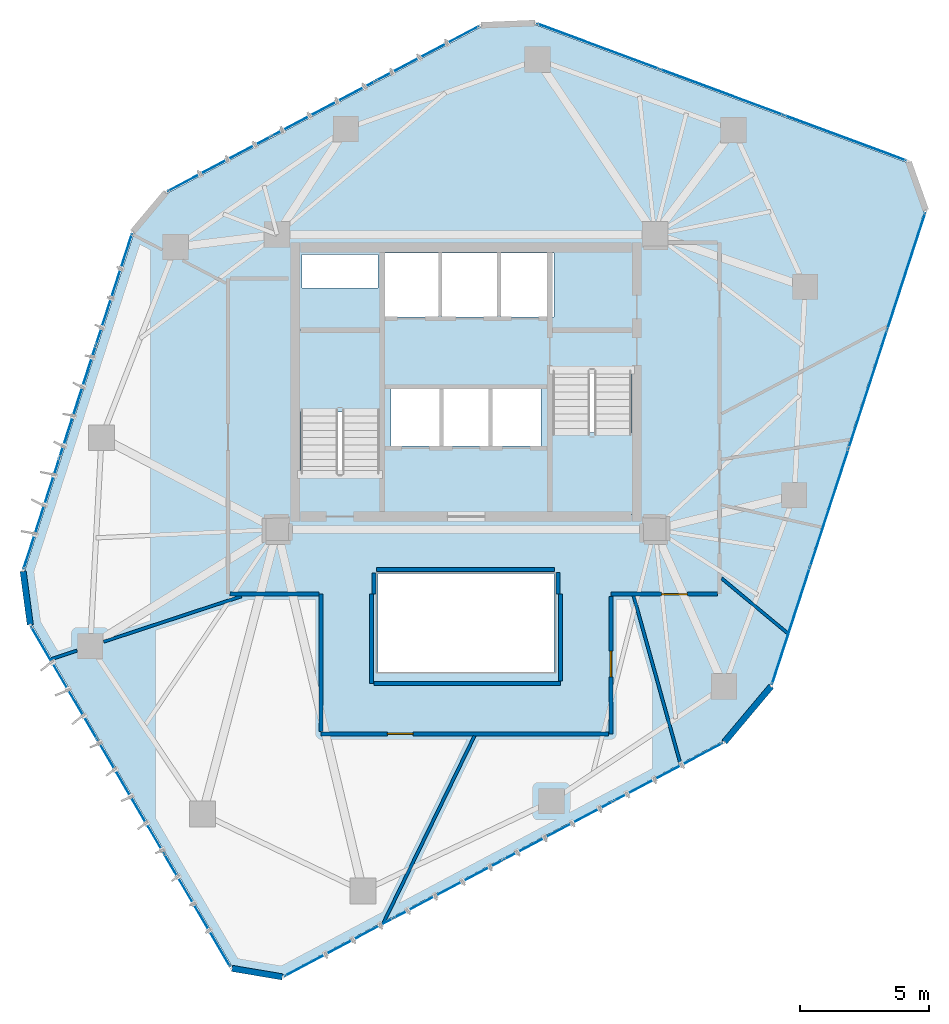
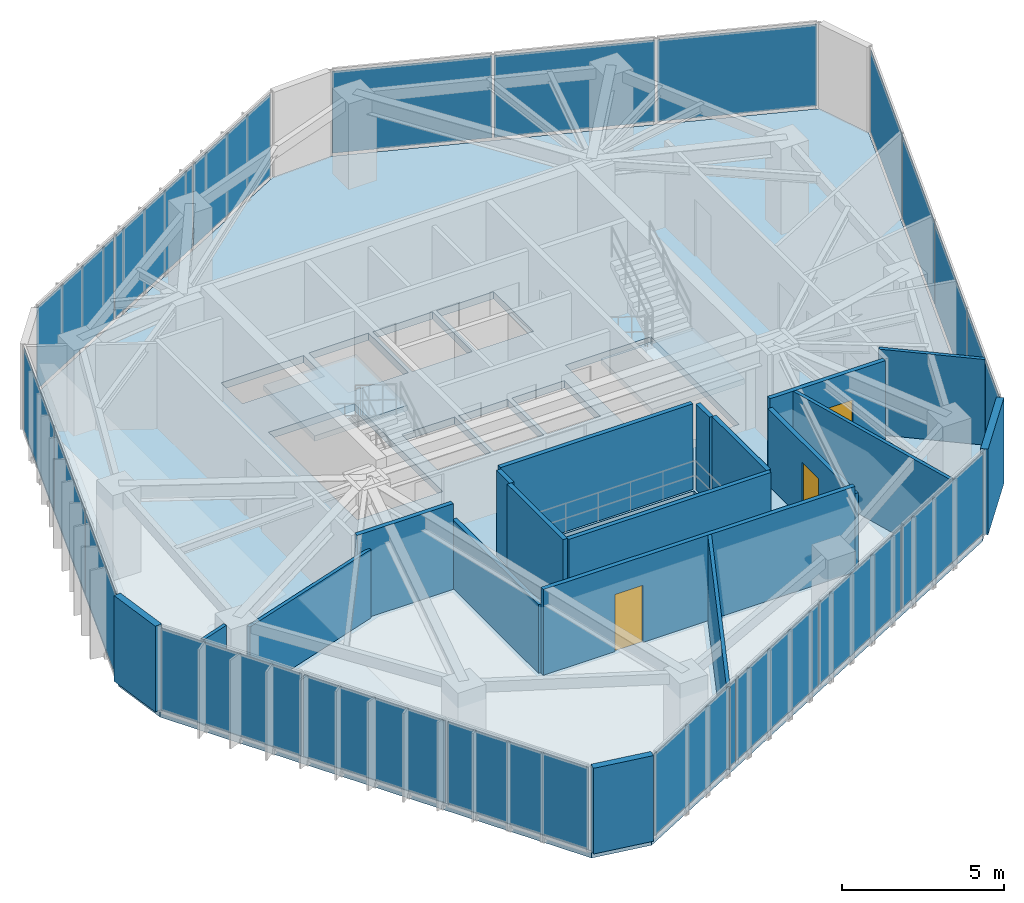
# One storey, part 15 of 19: 20 plates, 19 walls, 3 doors, 3 slabs, 3 openings, 8 elements without a shape of their own.
"""IFC4 building model written with IfcOpenShell, lengths in metres."""

from ifc_helpers import new_model, si_unit, direction, frame, frame_2d, origin, origin_2d, place, context, subcontext, project, spatial, polyline, rectangle, outline, extrude, source, transform, mapped, material, layer, layer_set, type_object, type_shapes, element, fill, aggregate, save


model = new_model("IFC4")

# Units and contexts
model_context = context("Model", 3, precision=1e-05, world=origin(), true_north=direction((0.0, 1.0)))
body_context = subcontext(model_context, "Body", "Model", "MODEL_VIEW")
ifc_project = project(units=[si_unit("LENGTHUNIT", "METRE"), si_unit("AREAUNIT", "SQUARE_METRE"), si_unit("VOLUMEUNIT", "CUBIC_METRE"), si_unit("PLANEANGLEUNIT", "RADIAN"), si_unit("MASSUNIT", "GRAM", prefix="KILO")], contexts=[model_context])

# Site, building, storey
site_placement = place(None, origin())
site = spatial("IfcSite", under=ifc_project, at=site_placement, CompositionType="ELEMENT")
building_placement = place(site_placement, origin())
building = spatial("IfcBuilding", under=site, at=building_placement, Name="Talar Marvaseh", CompositionType="ELEMENT")
storey_placement = place(building_placement, frame((0.0, 0.0, 174.0)))
storey = spatial("IfcBuildingStorey", under=building, at=storey_placement, Name="L45", CompositionType="ELEMENT", Elevation=174.0)

# Stair, slab
ifc_material_1 = material(Name="Concrete C40/50", Category="concrete")
stair_type = type_object("IfcStairType", Name="Reinforced Concrete High-Rise Exit Stair Type C", PredefinedType="HALF_TURN_STAIR", material=ifc_material_1)
stair_1_placement = place(storey_placement, origin())
stair_1 = element("IfcStair", 1, at=stair_1_placement, inside=storey, type_object=stair_type, Name="L45 Tower West Core Exit Stair", PredefinedType="HALF_TURN_STAIR")
ifc_layer_1 = layer(ifc_material_1, 0.199951171875)
ifc_layer_set_1 = layer_set([ifc_layer_1], Name="Concrete C40/50")
slab_type_1 = type_object("IfcSlabType", Name="Reinforced Concrete Stair Half-Landing Slab 200", PredefinedType="LANDING", material=ifc_layer_set_1)
slab_1_placement = place(storey_placement, frame((0.0, 0.0, 1.550048828125)))
slab_1 = element("IfcSlab", 2, at=slab_1_placement, type_object=slab_type_1, Name="ST-1 landing 1", PredefinedType="LANDING", context=body_context, shape_type="SweptSolid", body=[
    extrude(outline(polyline([(22.780029296875, 30.050048828125), (22.780029296875, 33.219970703125), (19.47998046875, 33.219970703125), (19.47998046875, 30.050048828125), (22.780029296875, 30.050048828125)])), origin(), (0.0, 0.0, 1.0), 0.199951171875),
])
aggregate(stair_1, [slab_1])

stair_2_placement = place(storey_placement, origin())
stair_2 = element("IfcStair", 3, at=stair_2_placement, inside=storey, type_object=stair_type, Name="L45 Tower East Core Exit Stair", PredefinedType="HALF_TURN_STAIR")
slab_2_placement = place(storey_placement, frame((0.0, 0.0, 1.550048828125)))
slab_2 = element("IfcSlab", 4, at=slab_2_placement, type_object=slab_type_1, Name="ST-2 landing 1", PredefinedType="LANDING", context=body_context, shape_type="SweptSolid", body=[
    extrude(outline(polyline([(29.219970703125, 29.25), (29.219970703125, 26.080078125), (32.52001953125, 26.080078125), (32.52001953125, 29.25), (29.219970703125, 29.25)])), origin(), (0.0, 0.0, 1.0), 0.199951171875),
])
aggregate(stair_2, [slab_2])

# Slab
ifc_layer_2 = layer(ifc_material_1, 0.27001953125)
ifc_layer_set_2 = layer_set([ifc_layer_2], Name="Concrete C40/50")
slab_type_2 = type_object("IfcSlabType", Name="Structural Suspended Floor Slab 270", PredefinedType="FLOOR", material=ifc_layer_set_2)
slab_3_placement = place(storey_placement, frame((0.0, 0.0, -0.27001953125)))
element("IfcSlab", 5, at=slab_3_placement, inside=storey, type_object=slab_type_2, Name="L45 Tower Floor Slab", PredefinedType="FLOOR", context=body_context, shape_type="SweptSolid", body=[
    extrude(outline(polyline([(18.913818359375, 8.26171875), (16.96337890625, 8.5908203125), (9.2138671875, 21.828125), (8.936767578125, 23.898193359375), (13.16455078125, 36.962890625), (14.4521484375, 38.497314453125), (26.583984375, 44.9296875), (28.6708984375, 45.01611328125), (43.052978515625, 39.682861328125), (43.715576171875, 37.8193359375), (37.752197265625, 19.476318359375), (35.942626953125, 17.319580078125), (18.913818359375, 8.26171875)]), holes=[polyline([(22.659912109375, 27.64990234375), (22.659912109375, 33.10009765625), (19.60009765625, 33.10009765625), (19.60009765625, 27.64990234375), (22.659912109375, 27.64990234375)]), polyline([(29.340087890625, 31.64990234375), (29.340087890625, 26.199951171875), (32.39990234375, 26.199951171875), (32.39990234375, 31.64990234375), (29.340087890625, 31.64990234375)]), polyline([(22.800048828125, 33.719970703125), (24.93994140625, 33.719970703125), (24.93994140625, 36.179931640625), (22.800048828125, 36.179931640625), (22.800048828125, 33.719970703125)]), polyline([(25.080078125, 33.719970703125), (27.219970703125, 33.719970703125), (27.219970703125, 36.179931640625), (25.080078125, 36.179931640625), (25.080078125, 33.719970703125)]), polyline([(27.360107421875, 33.719970703125), (29.39990234375, 33.719970703125), (29.39990234375, 36.179931640625), (27.360107421875, 36.179931640625), (27.360107421875, 33.719970703125)]), polyline([(23.10009765625, 28.719970703125), (24.97998046875, 28.719970703125), (24.97998046875, 30.93994140625), (23.10009765625, 30.93994140625), (23.10009765625, 28.719970703125)]), polyline([(25.1201171875, 28.719970703125), (26.8798828125, 28.719970703125), (26.8798828125, 30.93994140625), (25.1201171875, 30.93994140625), (25.1201171875, 28.719970703125)]), polyline([(27.02001953125, 28.719970703125), (28.89990234375, 28.719970703125), (28.89990234375, 30.93994140625), (27.02001953125, 30.93994140625), (27.02001953125, 28.719970703125)]), polyline([(19.659912109375, 34.840087890625), (22.60009765625, 34.840087890625), (22.60009765625, 36.139892578125), (19.659912109375, 36.139892578125), (19.659912109375, 34.840087890625)]), polyline([(22.60009765625, 20.0), (29.39990234375, 20.0), (29.39990234375, 23.800048828125), (22.60009765625, 23.800048828125), (22.60009765625, 20.0)])]), origin(), (0.0, 0.0, 1.0), 0.27001953125),
])

# Curtain wall, plates
ifc_material_2 = material(Name="Architectural Aluminium", Category="aluminium")
ifc_layer_3 = layer(ifc_material_2, 0.18994140625)
ifc_layer_set_3 = layer_set([ifc_layer_3], Name="Architectural Aluminium")
curtain_wall_type = type_object("IfcCurtainWallType", Name="Unitised Solar Atelier Curtain Wall Z3", PredefinedType="NOTDEFINED", material=ifc_layer_set_3)
curtain_wall_1_placement = place(storey_placement, origin())
curtain_wall_1 = element("IfcCurtainWall", 6, at=curtain_wall_1_placement, inside=storey, type_object=curtain_wall_type, Name="L45 Unitised Solar Atelier Curtain Wall Z3", PredefinedType="NOTDEFINED")
ifc_material_3 = material(Name="Laminated Low-E Solar Glass", Category="glass")
ifc_layer_4 = layer(ifc_material_3, 0.028076171875)
ifc_layer_set_4 = layer_set([ifc_layer_4], Name="Laminated Low-E Solar Glass")
plate_type = type_object("IfcPlateType", Name="Double-Glazed Low-E Vision Curtain Panel 28", PredefinedType="CURTAIN_PANEL", material=ifc_layer_set_4)
shared_shape_1 = source(origin(), body_context, "Body", "SweptSolid", [
    extrude(rectangle(XDim=5.00048828125, YDim=0.028076171875, at=origin_2d()), origin(), (0.0, 0.0, 1.0), 3.080078125),
])
plate_1_placement = place(storey_placement, frame((15.610595703125, 10.78271484375, 0.074951171875), z_axis=(0.0, 0.0, 1.0), x_axis=(-0.505226690352, 0.862986669281, 0.0)))
plate_1 = element("IfcPlate", 7, at=plate_1_placement, type_object=plate_type, Name="CW-Z3 panel 1.1", PredefinedType="CURTAIN_PANEL", context=body_context, shape_type="MappedRepresentation", body=[
    mapped(shared_shape_1, transform((0.0, 0.0, 0.0), x_axis=(1.0, 0.0, 0.0), y_axis=(0.0, 1.0, 0.0), z_axis=(0.0, 0.0, 1.0), scale=1.0)),
])
plate_2_placement = place(storey_placement, frame((10.463134765625, 19.575439453125, 0.074951171875), z_axis=(0.0, 0.0, 1.0), x_axis=(-0.505226690352, 0.862986669281, 0.0)))
plate_2 = element("IfcPlate", 8, at=plate_2_placement, type_object=plate_type, Name="CW-Z3 panel 3.1", PredefinedType="CURTAIN_PANEL", context=body_context, shape_type="MappedRepresentation", body=[
    mapped(shared_shape_1, transform((0.0, 0.0, 0.0), x_axis=(1.0, 0.0, 0.0), y_axis=(0.0, 1.0, 0.0), z_axis=(0.0, 0.0, 1.0), scale=1.0)),
])

curtain_wall_2_placement = place(storey_placement, origin())
curtain_wall_2 = element("IfcCurtainWall", 9, at=curtain_wall_2_placement, inside=storey, type_object=curtain_wall_type, Name="L45 Unitised Solar Atelier Curtain Wall Z3", PredefinedType="NOTDEFINED")
plate_3_placement = place(storey_placement, frame((31.1064453125, 44.177001953125, 0.074951171875), z_axis=(0.0, 0.0, 1.0), x_axis=(0.937607838109, -0.347694610134, 0.0)))
plate_3 = element("IfcPlate", 10, at=plate_3_placement, type_object=plate_type, Name="CW-Z3 panel 1.1", PredefinedType="CURTAIN_PANEL", context=body_context, shape_type="MappedRepresentation", body=[
    mapped(shared_shape_1, transform((0.0, 0.0, 0.0), x_axis=(1.0, 0.0, 0.0), y_axis=(0.0, 1.0, 0.0), z_axis=(0.0, 0.0, 1.0), scale=1.0)),
])
plate_4_placement = place(storey_placement, frame((40.6591796875, 40.634521484375, 0.074951171875), z_axis=(0.0, 0.0, 1.0), x_axis=(0.937607838109, -0.347694610134, 0.0)))
plate_4 = element("IfcPlate", 11, at=plate_4_placement, type_object=plate_type, Name="CW-Z3 panel 3.1", PredefinedType="CURTAIN_PANEL", context=body_context, shape_type="MappedRepresentation", body=[
    mapped(shared_shape_1, transform((0.0, 0.0, 0.0), x_axis=(1.0, 0.0, 0.0), y_axis=(0.0, 1.0, 0.0), z_axis=(0.0, 0.0, 1.0), scale=1.0)),
])

# Plate
shared_shape_2 = source(origin(), body_context, "Body", "SweptSolid", [
    extrude(rectangle(XDim=5.0380859375, YDim=0.028076171875, at=origin_2d()), origin(), (0.0, 0.0, 1.0), 3.080078125),
])
plate_5_placement = place(storey_placement, frame((13.036865234375, 15.17919921875, 0.074951171875), z_axis=(0.0, 0.0, 1.0), x_axis=(-0.505226690352, 0.862986669281, 0.0)))
plate_5 = element("IfcPlate", 12, at=plate_5_placement, type_object=plate_type, Name="CW-Z3 panel 2.1", PredefinedType="CURTAIN_PANEL", context=body_context, shape_type="MappedRepresentation", body=[
    mapped(shared_shape_2, transform((0.0, 0.0, 0.0), x_axis=(1.0, 0.0, 0.0), y_axis=(0.0, 1.0, 0.0), z_axis=(0.0, 0.0, 1.0), scale=1.0)),
])

aggregate(curtain_wall_1, [plate_1, plate_5, plate_2])

plate_6_placement = place(storey_placement, frame((35.8828125, 42.40576171875, 0.074951171875), z_axis=(0.0, 0.0, 1.0), x_axis=(0.937607838109, -0.347694610134, 0.0)))
plate_6 = element("IfcPlate", 13, at=plate_6_placement, type_object=plate_type, Name="CW-Z3 panel 2.1", PredefinedType="CURTAIN_PANEL", context=body_context, shape_type="MappedRepresentation", body=[
    mapped(shared_shape_2, transform((0.0, 0.0, 0.0), x_axis=(1.0, 0.0, 0.0), y_axis=(0.0, 1.0, 0.0), z_axis=(0.0, 0.0, 1.0), scale=1.0)),
])

aggregate(curtain_wall_2, [plate_3, plate_6, plate_4])

# Curtain wall, plates
curtain_wall_3_placement = place(storey_placement, origin())
curtain_wall_3 = element("IfcCurtainWall", 14, at=curtain_wall_3_placement, inside=storey, type_object=curtain_wall_type, Name="L45 Unitised Solar Atelier Curtain Wall Z3", PredefinedType="NOTDEFINED")
shared_shape_3 = source(origin(), body_context, "Body", "SweptSolid", [
    extrude(rectangle(XDim=4.46484375, YDim=0.028076171875, at=origin_2d()), origin(), (0.0, 0.0, 1.0), 3.080078125),
])
plate_7_placement = place(storey_placement, frame((9.590087890625, 26.11181640625, 0.074951171875), z_axis=(0.0, 0.0, 1.0), x_axis=(0.307885238903, 0.951423501741, 0.0)))
plate_7 = element("IfcPlate", 15, at=plate_7_placement, type_object=plate_type, Name="CW-Z3 panel 1.1", PredefinedType="CURTAIN_PANEL", context=body_context, shape_type="MappedRepresentation", body=[
    mapped(shared_shape_3, transform((0.0, 0.0, 0.0), x_axis=(1.0, 0.0, 0.0), y_axis=(0.0, 1.0, 0.0), z_axis=(0.0, 0.0, 1.0), scale=1.0)),
])
plate_8_placement = place(storey_placement, frame((12.39697265625, 34.7861328125, 0.074951171875), z_axis=(0.0, 0.0, 1.0), x_axis=(0.307885238903, 0.951423501741, 0.0)))
plate_8 = element("IfcPlate", 16, at=plate_8_placement, type_object=plate_type, Name="CW-Z3 panel 3.1", PredefinedType="CURTAIN_PANEL", context=body_context, shape_type="MappedRepresentation", body=[
    mapped(shared_shape_3, transform((0.0, 0.0, 0.0), x_axis=(1.0, 0.0, 0.0), y_axis=(0.0, 1.0, 0.0), z_axis=(0.0, 0.0, 1.0), scale=1.0)),
])

curtain_wall_4_placement = place(storey_placement, origin())
curtain_wall_4 = element("IfcCurtainWall", 17, at=curtain_wall_4_placement, inside=storey, type_object=curtain_wall_type, Name="L45 Unitised Solar Atelier Curtain Wall Z3", PredefinedType="NOTDEFINED")
plate_9_placement = place(storey_placement, frame((16.462646484375, 39.631103515625, 0.074951171875), z_axis=(0.0, 0.0, 1.0), x_axis=(0.883502379771, 0.468426669756, 0.0)))
plate_9 = element("IfcPlate", 18, at=plate_9_placement, type_object=plate_type, Name="CW-Z3 panel 1.1", PredefinedType="CURTAIN_PANEL", context=body_context, shape_type="MappedRepresentation", body=[
    mapped(shared_shape_3, transform((0.0, 0.0, 0.0), x_axis=(1.0, 0.0, 0.0), y_axis=(0.0, 1.0, 0.0), z_axis=(0.0, 0.0, 1.0), scale=1.0)),
])
plate_10_placement = place(storey_placement, frame((24.517333984375, 43.90185546875, 0.074951171875), z_axis=(0.0, 0.0, 1.0), x_axis=(0.883502379771, 0.468426669756, 0.0)))
plate_10 = element("IfcPlate", 19, at=plate_10_placement, type_object=plate_type, Name="CW-Z3 panel 3.1", PredefinedType="CURTAIN_PANEL", context=body_context, shape_type="MappedRepresentation", body=[
    mapped(shared_shape_3, transform((0.0, 0.0, 0.0), x_axis=(1.0, 0.0, 0.0), y_axis=(0.0, 1.0, 0.0), z_axis=(0.0, 0.0, 1.0), scale=1.0)),
])

# Plate
shared_shape_4 = source(origin(), body_context, "Body", "SweptSolid", [
    extrude(rectangle(XDim=4.502197265625, YDim=0.028076171875, at=origin_2d()), origin(), (0.0, 0.0, 1.0), 3.080078125),
])
plate_11_placement = place(storey_placement, frame((10.993408203125, 30.448974609375, 0.074951171875), z_axis=(0.0, 0.0, 1.0), x_axis=(0.307885238903, 0.951423501741, 0.0)))
plate_11 = element("IfcPlate", 20, at=plate_11_placement, type_object=plate_type, Name="CW-Z3 panel 2.1", PredefinedType="CURTAIN_PANEL", context=body_context, shape_type="MappedRepresentation", body=[
    mapped(shared_shape_4, transform((0.0, 0.0, 0.0), x_axis=(1.0, 0.0, 0.0), y_axis=(0.0, 1.0, 0.0), z_axis=(0.0, 0.0, 1.0), scale=1.0)),
])

aggregate(curtain_wall_3, [plate_7, plate_11, plate_8])

plate_12_placement = place(storey_placement, frame((20.489990234375, 41.766357421875, 0.074951171875), z_axis=(0.0, 0.0, 1.0), x_axis=(0.883502379771, 0.468426669756, 0.0)))
plate_12 = element("IfcPlate", 21, at=plate_12_placement, type_object=plate_type, Name="CW-Z3 panel 2.1", PredefinedType="CURTAIN_PANEL", context=body_context, shape_type="MappedRepresentation", body=[
    mapped(shared_shape_4, transform((0.0, 0.0, 0.0), x_axis=(1.0, 0.0, 0.0), y_axis=(0.0, 1.0, 0.0), z_axis=(0.0, 0.0, 1.0), scale=1.0)),
])

aggregate(curtain_wall_4, [plate_9, plate_12, plate_10])

# Curtain wall, plates
curtain_wall_5_placement = place(storey_placement, origin())
curtain_wall_5 = element("IfcCurtainWall", 22, at=curtain_wall_5_placement, inside=storey, type_object=curtain_wall_type, Name="L45 Unitised Solar Atelier Curtain Wall Z3", PredefinedType="NOTDEFINED")
shared_shape_5 = source(origin(), body_context, "Body", "SweptSolid", [
    extrude(rectangle(XDim=4.70947265625, YDim=0.028076171875, at=origin_2d()), origin(), (0.0, 0.0, 1.0), 3.080078125),
])
plate_13_placement = place(storey_placement, frame((43.021484375, 35.490234375, 0.074951171875), z_axis=(0.0, 0.0, 1.0), x_axis=(-0.30916391252, -0.95100876715, 0.0)))
plate_13 = element("IfcPlate", 23, at=plate_13_placement, type_object=plate_type, Name="CW-Z3 panel 1.1", PredefinedType="CURTAIN_PANEL", context=body_context, shape_type="MappedRepresentation", body=[
    mapped(shared_shape_5, transform((0.0, 0.0, 0.0), x_axis=(1.0, 0.0, 0.0), y_axis=(0.0, 1.0, 0.0), z_axis=(0.0, 0.0, 1.0), scale=1.0)),
])
plate_14_placement = place(storey_placement, frame((38.560546875, 21.768310546875, 0.074951171875), z_axis=(0.0, 0.0, 1.0), x_axis=(-0.30916391252, -0.95100876715, 0.0)))
plate_14 = element("IfcPlate", 24, at=plate_14_placement, type_object=plate_type, Name="CW-Z3 panel 4.1", PredefinedType="CURTAIN_PANEL", context=body_context, shape_type="MappedRepresentation", body=[
    mapped(shared_shape_5, transform((0.0, 0.0, 0.0), x_axis=(1.0, 0.0, 0.0), y_axis=(0.0, 1.0, 0.0), z_axis=(0.0, 0.0, 1.0), scale=1.0)),
])

curtain_wall_6_placement = place(storey_placement, origin())
curtain_wall_6 = element("IfcCurtainWall", 25, at=curtain_wall_6_placement, inside=storey, type_object=curtain_wall_type, Name="L45 Unitised Solar Atelier Curtain Wall Z3", PredefinedType="NOTDEFINED")
plate_15_placement = place(storey_placement, frame((33.82568359375, 16.12548828125, 0.074951171875), z_axis=(0.0, 0.0, 1.0), x_axis=(-0.882874081392, -0.469609791642, 0.0)))
plate_15 = element("IfcPlate", 26, at=plate_15_placement, type_object=plate_type, Name="CW-Z3 panel 1.1", PredefinedType="CURTAIN_PANEL", context=body_context, shape_type="MappedRepresentation", body=[
    mapped(shared_shape_5, transform((0.0, 0.0, 0.0), x_axis=(1.0, 0.0, 0.0), y_axis=(0.0, 1.0, 0.0), z_axis=(0.0, 0.0, 1.0), scale=1.0)),
])
plate_16_placement = place(storey_placement, frame((21.087158203125, 9.349853515625, 0.074951171875), z_axis=(0.0, 0.0, 1.0), x_axis=(-0.882874081392, -0.469609791642, 0.0)))
plate_16 = element("IfcPlate", 27, at=plate_16_placement, type_object=plate_type, Name="CW-Z3 panel 4.1", PredefinedType="CURTAIN_PANEL", context=body_context, shape_type="MappedRepresentation", body=[
    mapped(shared_shape_5, transform((0.0, 0.0, 0.0), x_axis=(1.0, 0.0, 0.0), y_axis=(0.0, 1.0, 0.0), z_axis=(0.0, 0.0, 1.0), scale=1.0)),
])

# Plate
shared_shape_6 = source(origin(), body_context, "Body", "SweptSolid", [
    extrude(rectangle(XDim=4.7470703125, YDim=0.028076171875, at=origin_2d()), origin(), (0.0, 0.0, 1.0), 3.080078125),
])
type_shapes(plate_type, [shared_shape_1, shared_shape_2, shared_shape_3, shared_shape_4, shared_shape_5, shared_shape_6])
plate_17_placement = place(storey_placement, frame((41.536376953125, 30.922119140625, 0.074951171875), z_axis=(0.0, 0.0, 1.0), x_axis=(-0.30916391252, -0.95100876715, 0.0)))
plate_17 = element("IfcPlate", 28, at=plate_17_placement, type_object=plate_type, Name="CW-Z3 panel 2.1", PredefinedType="CURTAIN_PANEL", context=body_context, shape_type="MappedRepresentation", body=[
    mapped(shared_shape_6, transform((0.0, 0.0, 0.0), x_axis=(1.0, 0.0, 0.0), y_axis=(0.0, 1.0, 0.0), z_axis=(0.0, 0.0, 1.0), scale=1.0)),
])

plate_18_placement = place(storey_placement, frame((40.045654296875, 26.33642578125, 0.074951171875), z_axis=(0.0, 0.0, 1.0), x_axis=(-0.30916391252, -0.95100876715, 0.0)))
plate_18 = element("IfcPlate", 29, at=plate_18_placement, type_object=plate_type, Name="CW-Z3 panel 3.1", PredefinedType="CURTAIN_PANEL", context=body_context, shape_type="MappedRepresentation", body=[
    mapped(shared_shape_6, transform((0.0, 0.0, 0.0), x_axis=(1.0, 0.0, 0.0), y_axis=(0.0, 1.0, 0.0), z_axis=(0.0, 0.0, 1.0), scale=1.0)),
])

aggregate(curtain_wall_5, [plate_13, plate_17, plate_18, plate_14])

plate_19_placement = place(storey_placement, frame((29.5849609375, 13.869873046875, 0.074951171875), z_axis=(0.0, 0.0, 1.0), x_axis=(-0.882874081392, -0.469609791642, 0.0)))
plate_19 = element("IfcPlate", 30, at=plate_19_placement, type_object=plate_type, Name="CW-Z3 panel 2.1", PredefinedType="CURTAIN_PANEL", context=body_context, shape_type="MappedRepresentation", body=[
    mapped(shared_shape_6, transform((0.0, 0.0, 0.0), x_axis=(1.0, 0.0, 0.0), y_axis=(0.0, 1.0, 0.0), z_axis=(0.0, 0.0, 1.0), scale=1.0)),
])

plate_20_placement = place(storey_placement, frame((25.327880859375, 11.60546875, 0.074951171875), z_axis=(0.0, 0.0, 1.0), x_axis=(-0.882874081392, -0.469609791642, 0.0)))
plate_20 = element("IfcPlate", 31, at=plate_20_placement, type_object=plate_type, Name="CW-Z3 panel 3.1", PredefinedType="CURTAIN_PANEL", context=body_context, shape_type="MappedRepresentation", body=[
    mapped(shared_shape_6, transform((0.0, 0.0, 0.0), x_axis=(1.0, 0.0, 0.0), y_axis=(0.0, 1.0, 0.0), z_axis=(0.0, 0.0, 1.0), scale=1.0)),
])

aggregate(curtain_wall_6, [plate_15, plate_19, plate_20, plate_16])

# Walls
ifc_material_4 = material(Name="Precast concrete C45/55", Category="concrete")
ifc_layer_5 = layer(ifc_material_4, 0.239990234375)
ifc_layer_set_5 = layer_set([ifc_layer_5], Name="Precast concrete C45/55")
wall_type_1 = type_object("IfcWallType", Name="Chamfered Hexagonal Corner Pier Wall Z3 240", PredefinedType="SOLIDWALL", material=ifc_layer_set_5)
wall_1_placement = place(storey_placement, frame((18.90380859375, 8.202392578125, 0.0), z_axis=(0.0, 0.0, 1.0), x_axis=(-0.986058264419, 0.166400418182, 0.0)))
element("IfcWall", 32, at=wall_1_placement, inside=storey, type_object=wall_type_1, Name="L45 Chamfered Corner Limestone Pier 1", PredefinedType="SOLIDWALL", context=body_context, shape_type="SweptSolid", body=[
    extrude(rectangle(XDim=1.977783203125, YDim=0.239990234375, at=frame_2d((0.98876953125, 0.0))), origin(), (0.0, 0.0, 1.0), 3.22998046875),
])
wall_2_placement = place(storey_placement, frame((9.154296875, 21.820068359375, 0.0), z_axis=(0.0, 0.0, 1.0), x_axis=(-0.132676716646, 0.991159366026, 0.0)))
element("IfcWall", 33, at=wall_2_placement, inside=storey, type_object=wall_type_1, Name="L45 Chamfered Corner Limestone Pier 2", PredefinedType="SOLIDWALL", context=body_context, shape_type="SweptSolid", body=[
    extrude(rectangle(XDim=2.088623046875, YDim=0.239990234375, at=frame_2d((1.04443359375, 0.0))), origin(), (0.0, 0.0, 1.0), 3.22998046875),
])
wall_3_placement = place(storey_placement, frame((37.79833984375, 19.4375, 0.0), z_axis=(0.0, 0.0, 1.0), x_axis=(-0.642799465258, -0.766034494957, 0.0)))
element("IfcWall", 34, at=wall_3_placement, inside=storey, type_object=wall_type_1, Name="L45 Chamfered Corner Limestone Pier 6", PredefinedType="SOLIDWALL", context=body_context, shape_type="SweptSolid", body=[
    extrude(rectangle(XDim=2.815185546875, YDim=0.239990234375, at=frame_2d((1.40771484375, 0.0))), origin(), (0.0, 0.0, 1.0), 3.22998046875),
])

# Wall, opening, door
ifc_material_5 = material(Name="Gypsum Board Partition Assembly")
ifc_layer_6 = layer(ifc_material_5, 0.155029296875)
ifc_layer_set_6 = layer_set([ifc_layer_6], Name="Gypsum Board Partition Assembly")
wall_type_2 = type_object("IfcWallType", Name="Corridor Fire-Rated Acoustic Partition 155", PredefinedType="PARTITIONING", material=ifc_layer_set_6)
wall_4_placement = place(storey_placement, frame((35.716552734375, 23.0, 0.0), z_axis=(0.0, 0.0, 1.0), x_axis=(-1.0, 0.0, 0.0)))
wall_4 = element("IfcWall", 35, at=wall_4_placement, inside=storey, type_object=wall_type_2, Name="L45 Interior Partition Wall", PredefinedType="PARTITIONING", context=body_context, shape_type="SweptSolid", body=[
    extrude(rectangle(XDim=4.116455078125, YDim=0.155029296875, at=frame_2d((2.05810546875, 0.0))), origin(), (0.0, 0.0, 1.0), 3.22998046875),
])
opening_1_placement = place(wall_4_placement, frame((1.157470703125, 0.0, 0.0)))
opening_1 = element("IfcOpeningElement", 36, at=opening_1_placement, cuts=wall_4, Name="Opening DR-RM100", PredefinedType="OPENING", context=body_context, shape_type="SweptSolid", body=[
    extrude(rectangle(XDim=1.0, YDim=2.14990234375, at=frame_2d((0.5, 1.074951171875))), frame((0.0, 0.08740234375, 0.0), z_axis=(0.0, -1.0, 0.0), x_axis=(1.0, 0.0, 0.0)), (0.0, 0.0, 1.0), 0.175048828125),
])
ifc_material_6 = material(Name="Acoustic Engineered Oak Timber", Category="wood")
door_type = type_object("IfcDoorType", Name="Corridor Fire-Rated Gallery Door 1000x2150", OperationType="NOTDEFINED", PredefinedType="DOOR", material=ifc_material_6)
shared_shape_7 = source(origin(), body_context, "Body", "SweptSolid", [
    extrude(rectangle(XDim=1.0, YDim=2.14990234375, at=frame_2d((0.5, 1.074951171875))), frame((0.0, 0.02490234375, 0.0), z_axis=(0.0, -1.0, 0.0), x_axis=(1.0, 0.0, 0.0)), (0.0, 0.0, 1.0), 0.050048828125),
])
type_shapes(door_type, [shared_shape_7])
door_1_placement = place(opening_1_placement, origin())
door_1 = element("IfcDoor", 37, at=door_1_placement, inside=storey, type_object=door_type, Name="L45 Colloquium Boardroom Door", OperationType="SINGLE_SWING_RIGHT", OverallHeight=2.14990234375, OverallWidth=1.0, PredefinedType="DOOR", context=body_context, shape_type="MappedRepresentation", body=[
    mapped(shared_shape_7, transform((0.0, 0.0, 0.0), x_axis=(1.0, 0.0, 0.0), y_axis=(0.0, 1.0, 0.0), z_axis=(0.0, 0.0, 1.0), scale=1.0)),
])
fill(opening_1, door_1)

wall_5_placement = place(storey_placement, frame((31.60009765625, 22.91650390625, 0.0), z_axis=(0.0, 0.0, 1.0), x_axis=(0.0, -1.0, 0.0)))
wall_5 = element("IfcWall", 38, at=wall_5_placement, inside=storey, type_object=wall_type_2, Name="L45 Interior Partition Wall", PredefinedType="PARTITIONING", context=body_context, shape_type="SweptSolid", body=[
    extrude(rectangle(XDim=5.31640625, YDim=0.155029296875, at=frame_2d((2.658203125, 0.0))), origin(), (0.0, 0.0, 1.0), 2.89208984375),
])
opening_2_placement = place(wall_5_placement, frame((2.116455078125, 0.0, 0.0)))
opening_2 = element("IfcOpeningElement", 39, at=opening_2_placement, cuts=wall_5, Name="Opening DR-RM100", PredefinedType="OPENING", context=body_context, shape_type="SweptSolid", body=[
    extrude(rectangle(XDim=1.0, YDim=2.14990234375, at=frame_2d((0.5, 1.074951171875))), frame((0.0, 0.08740234375, 0.0), z_axis=(0.0, -1.0, 0.0), x_axis=(1.0, 0.0, 0.0)), (0.0, 0.0, 1.0), 0.175048828125),
])
door_2_placement = place(opening_2_placement, origin())
door_2 = element("IfcDoor", 40, at=door_2_placement, inside=storey, type_object=door_type, Name="L45 Museum Publication Bookshop Door", OperationType="SINGLE_SWING_LEFT", OverallHeight=2.14990234375, OverallWidth=1.0, PredefinedType="DOOR", context=body_context, shape_type="MappedRepresentation", body=[
    mapped(shared_shape_7, transform((0.0, 0.0, 0.0), x_axis=(1.0, 0.0, 0.0), y_axis=(0.0, 1.0, 0.0), z_axis=(0.0, 0.0, 1.0), scale=1.0)),
])
fill(opening_2, door_2)

wall_6_placement = place(storey_placement, frame((31.5166015625, 17.60009765625, 0.0), z_axis=(0.0, 0.0, 1.0), x_axis=(-1.0, 0.0, 0.0)))
wall_6 = element("IfcWall", 41, at=wall_6_placement, inside=storey, type_object=wall_type_2, Name="L45 Interior Partition Wall", PredefinedType="PARTITIONING", context=body_context, shape_type="SweptSolid", body=[
    extrude(rectangle(XDim=11.11669921875, YDim=0.155029296875, at=frame_2d((5.558349609375, 0.0))), origin(), (0.0, 0.0, 1.0), 3.22998046875),
])
opening_3_placement = place(wall_6_placement, frame((7.559814453125, 0.0, 0.0)))
opening_3 = element("IfcOpeningElement", 42, at=opening_3_placement, cuts=wall_6, Name="Opening DR-RM100", PredefinedType="OPENING", context=body_context, shape_type="SweptSolid", body=[
    extrude(rectangle(XDim=1.0, YDim=2.14990234375, at=frame_2d((0.5, 1.074951171875))), frame((0.0, 0.08740234375, 0.0), z_axis=(0.0, -1.0, 0.0), x_axis=(1.0, 0.0, 0.0)), (0.0, 0.0, 1.0), 0.175048828125),
])
door_3_placement = place(opening_3_placement, origin())
door_3 = element("IfcDoor", 43, at=door_3_placement, inside=storey, type_object=door_type, Name="L45 Seminar Room Door", OperationType="SINGLE_SWING_RIGHT", OverallHeight=2.14990234375, OverallWidth=1.0, PredefinedType="DOOR", context=body_context, shape_type="MappedRepresentation", body=[
    mapped(shared_shape_7, transform((0.0, 0.0, 0.0), x_axis=(1.0, 0.0, 0.0), y_axis=(0.0, 1.0, 0.0), z_axis=(0.0, 0.0, 1.0), scale=1.0)),
])
fill(opening_3, door_3)

# Walls
wall_7_placement = place(storey_placement, frame((20.39990234375, 17.68359375, 0.0), z_axis=(0.0, 0.0, 1.0), x_axis=(0.0, 1.0, 0.0)))
element("IfcWall", 44, at=wall_7_placement, inside=storey, type_object=wall_type_2, Name="L45 Interior Partition Wall", PredefinedType="PARTITIONING", context=body_context, shape_type="SweptSolid", body=[
    extrude(rectangle(XDim=5.31640625, YDim=0.155029296875, at=frame_2d((2.658203125, 0.0))), origin(), (0.0, 0.0, 1.0), 2.589111328125),
])
wall_8_placement = place(storey_placement, frame((20.31640625, 23.0, 0.0), z_axis=(0.0, 0.0, 1.0), x_axis=(-1.0, 0.0, 0.0)))
element("IfcWall", 45, at=wall_8_placement, inside=storey, type_object=wall_type_2, Name="L45 Interior Partition Wall", PredefinedType="PARTITIONING", context=body_context, shape_type="SweptSolid", body=[
    extrude(rectangle(XDim=3.432861328125, YDim=0.155029296875, at=frame_2d((1.71630859375, 0.0))), origin(), (0.0, 0.0, 1.0), 3.22998046875),
])
wall_9_placement = place(storey_placement, frame((29.415771484375, 23.959228515625, 0.0), z_axis=(0.0, 0.0, 1.0), x_axis=(-0.999998607957, -0.001668557745, 0.0)))
element("IfcWall", 46, at=wall_9_placement, inside=storey, type_object=wall_type_2, Name="L45 Interior Partition Wall", PredefinedType="PARTITIONING", context=body_context, shape_type="SweptSolid", body=[
    extrude(rectangle(XDim=6.876953125, YDim=0.155029296875, at=frame_2d((3.4384765625, 0.0))), origin(), (0.0, 0.0, 1.0), 3.22998046875),
])
wall_10_placement = place(storey_placement, frame((22.44091796875, 23.815673828125, 0.0), z_axis=(0.0, 0.0, 1.0), x_axis=(-0.001197245475, -0.999999283301, 0.0)))
element("IfcWall", 47, at=wall_10_placement, inside=storey, type_object=wall_type_2, Name="L45 Interior Partition Wall", PredefinedType="PARTITIONING", context=body_context, shape_type="SweptSolid", body=[
    extrude(rectangle(XDim=0.815673828125, YDim=0.155029296875, at=frame_2d((0.40771484375, 0.0))), origin(), (0.0, 0.0, 1.0), 3.22998046875),
])
wall_11_placement = place(storey_placement, frame((22.35009765625, 23.0, 0.0), z_axis=(0.0, 0.0, 1.0), x_axis=(0.0, -1.0, 0.0)))
element("IfcWall", 48, at=wall_11_placement, inside=storey, type_object=wall_type_2, Name="L45 Interior Partition Wall", PredefinedType="PARTITIONING", context=body_context, shape_type="SweptSolid", body=[
    extrude(rectangle(XDim=3.449951171875, YDim=0.155029296875, at=frame_2d((1.72509765625, 0.0))), origin(), (0.0, 0.0, 1.0), 3.22998046875),
])
wall_12_placement = place(storey_placement, frame((22.43359375, 19.550048828125, 0.0), z_axis=(0.0, 0.0, 1.0), x_axis=(1.0, 0.0, 0.0)))
element("IfcWall", 49, at=wall_12_placement, inside=storey, type_object=wall_type_2, Name="L45 Interior Partition Wall", PredefinedType="PARTITIONING", context=body_context, shape_type="SweptSolid", body=[
    extrude(rectangle(XDim=7.21630859375, YDim=0.155029296875, at=frame_2d((3.608154296875, 0.0))), origin(), (0.0, 0.0, 1.0), 3.22998046875),
])
wall_13_placement = place(storey_placement, frame((29.64990234375, 19.633544921875, 0.0), z_axis=(0.0, 0.0, 1.0), x_axis=(0.0, 1.0, 0.0)))
element("IfcWall", 50, at=wall_13_placement, inside=storey, type_object=wall_type_2, Name="L45 Interior Partition Wall", PredefinedType="PARTITIONING", context=body_context, shape_type="SweptSolid", body=[
    extrude(rectangle(XDim=3.366455078125, YDim=0.155029296875, at=frame_2d((1.68310546875, 0.0))), origin(), (0.0, 0.0, 1.0), 3.22998046875),
])
wall_14_placement = place(storey_placement, frame((29.56005859375, 23.0, 0.0), z_axis=(0.0, 0.0, 1.0), x_axis=(-0.003817887006, 0.999992711843, 0.0)))
element("IfcWall", 51, at=wall_14_placement, inside=storey, type_object=wall_type_2, Name="L45 Interior Partition Wall", PredefinedType="PARTITIONING", context=body_context, shape_type="SweptSolid", body=[
    extrude(rectangle(XDim=0.831298828125, YDim=0.155029296875, at=frame_2d((0.41552734375, 0.0))), origin(), (0.0, 0.0, 1.0), 3.22998046875),
])
ifc_layer_7 = layer(ifc_material_5, 0.1201171875)
ifc_layer_set_7 = layer_set([ifc_layer_7], Name="Gypsum Board Partition Assembly")
wall_type_3 = type_object("IfcWallType", Name="Demountable Studio Room Partition 120", PredefinedType="PARTITIONING", material=ifc_layer_set_7)
wall_15_placement = place(storey_placement, frame((26.329345703125, 17.5166015625, 0.0), z_axis=(0.0, 0.0, 1.0), x_axis=(-0.43799518873, -0.898977315981, 0.0)))
element("IfcWall", 52, at=wall_15_placement, inside=storey, type_object=wall_type_3, Name="L45 Interior Partition Wall", PredefinedType="PARTITIONING", context=body_context, shape_type="SweptSolid", body=[
    extrude(rectangle(XDim=8.050537109375, YDim=0.1201171875, at=frame_2d((4.025390625, 0.0))), origin(), (0.0, 0.0, 1.0), 3.22998046875),
])
wall_16_placement = place(storey_placement, frame((9.960205078125, 20.482666015625, 0.0), z_axis=(0.0, 0.0, 1.0), x_axis=(0.94749666046, 0.319765661723, 0.0)))
element("IfcWall", 53, at=wall_16_placement, inside=storey, type_object=wall_type_3, Name="L45 Interior Partition Wall", PredefinedType="PARTITIONING", context=body_context, shape_type="SweptSolid", body=[
    extrude(rectangle(XDim=1.05517578125, YDim=0.1201171875, at=frame_2d((0.527587890625, 0.0))), origin(), (0.0, 0.0, 1.0), 3.22998046875),
])
wall_17_placement = place(storey_placement, frame((11.989990234375, 21.159912109375, 0.0), z_axis=(0.0, 0.0, 1.0), x_axis=(0.949696889098, 0.313170590635, 0.0)))
element("IfcWall", 54, at=wall_17_placement, inside=storey, type_object=wall_type_3, Name="L45 Interior Partition Wall", PredefinedType="PARTITIONING", context=body_context, shape_type="SweptSolid", body=[
    extrude(rectangle(XDim=5.609130859375, YDim=0.1201171875, at=frame_2d((2.8046875, 0.0))), origin(), (0.0, 0.0, 1.0), 2.589111328125),
])
wall_18_placement = place(storey_placement, frame((32.4775390625, 22.9375, 0.0), z_axis=(0.0, 0.0, 1.0), x_axis=(0.268553521957, -0.963264764146, 0.0)))
element("IfcWall", 55, at=wall_18_placement, inside=storey, type_object=wall_type_3, Name="L45 Interior Partition Wall", PredefinedType="PARTITIONING", context=body_context, shape_type="SweptSolid", body=[
    extrude(rectangle(XDim=6.78173828125, YDim=0.1201171875, at=frame_2d((3.390869140625, 0.0))), origin(), (0.0, 0.0, 1.0), 3.22998046875),
])
wall_19_placement = place(storey_placement, frame((35.883544921875, 23.610595703125, 0.0), z_axis=(0.0, 0.0, 1.0), x_axis=(0.76871993176, -0.639585542766, 0.0)))
element("IfcWall", 56, at=wall_19_placement, inside=storey, type_object=wall_type_3, Name="L45 Interior Partition Wall", PredefinedType="PARTITIONING", context=body_context, shape_type="SweptSolid", body=[
    extrude(rectangle(XDim=3.329345703125, YDim=0.1201171875, at=frame_2d((1.66455078125, 0.0))), origin(), (0.0, 0.0, 1.0), 3.22998046875),
])

save(model, "model.ifc")
